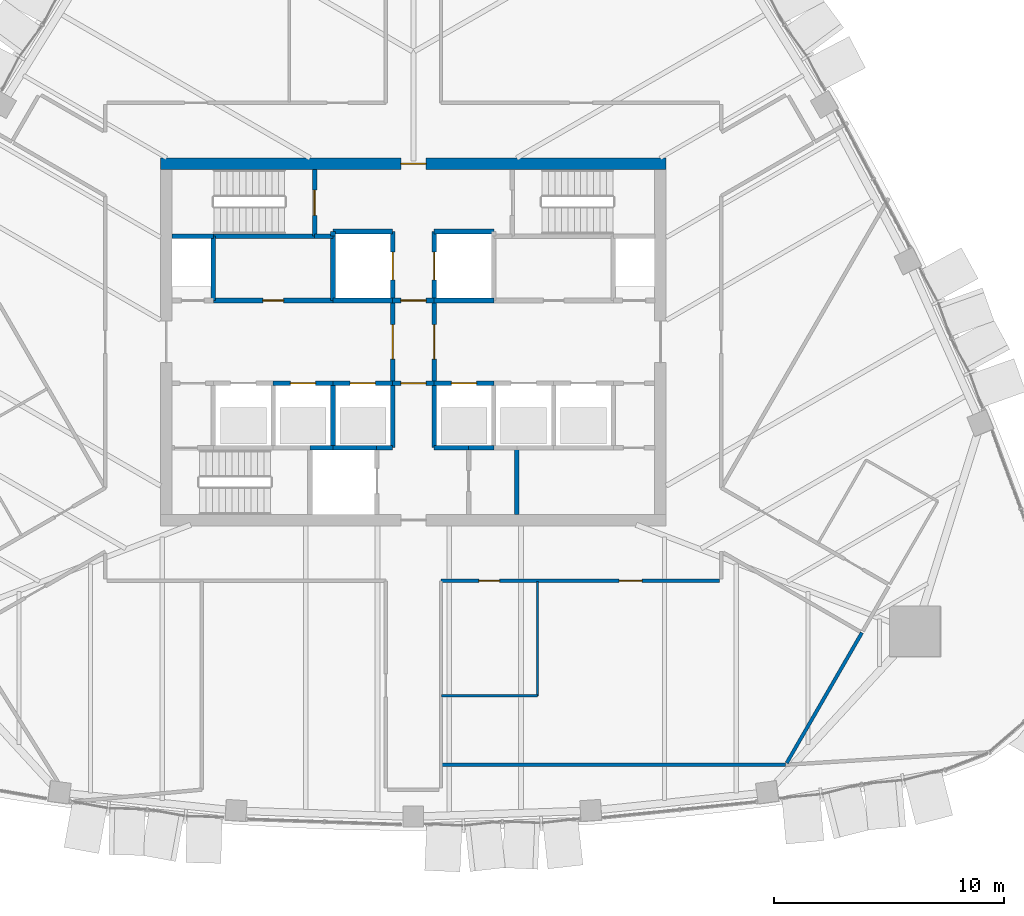
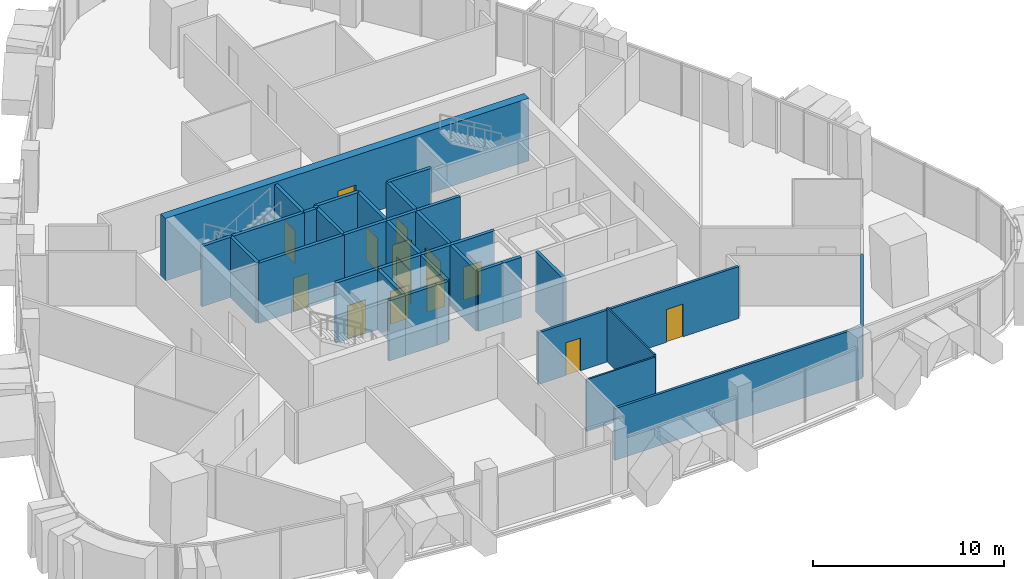
# One storey, part 12 of 18: 36 walls, 14 doors, 14 openings.
"""IFC4 building model written with IfcOpenShell, lengths in metres."""

from ifc_helpers import new_model, si_unit, direction, frame, frame_2d, origin, place, context, subcontext, project, spatial, rectangle, extrude, material, layer, layer_set, type_object, element, fill, save


model = new_model("IFC4")

# Units and contexts
model_context = context("Model", 3, precision=1e-05, world=origin(), true_north=direction((0.0, 1.0)))
body_context = subcontext(model_context, "Body", "Model", "MODEL_VIEW")
ifc_project = project(units=[si_unit("LENGTHUNIT", "METRE"), si_unit("AREAUNIT", "SQUARE_METRE"), si_unit("VOLUMEUNIT", "CUBIC_METRE"), si_unit("PLANEANGLEUNIT", "RADIAN"), si_unit("MASSUNIT", "GRAM", prefix="KILO")], contexts=[model_context])

# Site, building, storey
site_placement = place(None, origin())
site = spatial("IfcSite", under=ifc_project, at=site_placement, CompositionType="ELEMENT")
building_placement = place(site_placement, origin())
building = spatial("IfcBuilding", under=site, at=building_placement, Name="Sierra Prisma Convention Tower", CompositionType="ELEMENT")
storey_placement = place(building_placement, frame((0.0, 0.0, 247.0)))
storey = spatial("IfcBuildingStorey", under=building, at=storey_placement, Name="L55", CompositionType="ELEMENT", Elevation=247.0)

# Walls
ifc_material_1 = material(Name="Gypsum board partition", Category="gypsum")
ifc_layer_1 = layer(ifc_material_1, 0.10009765625)
ifc_layer_set_1 = layer_set([ifc_layer_1], Name="Bathroom partition 100")
wall_type_1 = type_object("IfcWallType", Name="Bathroom partition 100", PredefinedType="PARTITIONING", material=ifc_layer_set_1)
wall_1_placement = place(storey_placement, frame((5.39990234375, -10.429931640625, 0.0), z_axis=(0.0, 0.0, 1.0), x_axis=(0.0, -1.0, 0.0)))
element("IfcWall", 1, at=wall_1_placement, inside=storey, type_object=wall_type_1, Name="Partition L55 bath 5", PredefinedType="PARTITIONING", context=body_context, shape_type="SweptSolid", body=[
    extrude(rectangle(XDim=4.969970703125, YDim=0.10009765625, at=frame_2d((2.48486328125, 0.0))), origin(), (0.0, 0.0, 1.0), 3.449951171875),
])
wall_2_placement = place(storey_placement, frame((5.39990234375, -15.39990234375, 0.0), z_axis=(0.0, 0.0, 1.0), x_axis=(-1.0, 0.0, 0.0)))
element("IfcWall", 2, at=wall_2_placement, inside=storey, type_object=wall_type_1, Name="Partition L55 bath 6", PredefinedType="PARTITIONING", context=body_context, shape_type="SweptSolid", body=[
    extrude(rectangle(XDim=4.169921875, YDim=0.10009765625, at=frame_2d((2.0849609375, 0.0))), origin(), (0.0, 0.0, 1.0), 3.31689453125),
])
ifc_material_2 = material(Name="Concrete C30/37", Category="concrete")
ifc_layer_2 = layer(ifc_material_2, 0.199951171875)
ifc_layer_set_2 = layer_set([ifc_layer_2], Name="Core wall RC 200 C30/37")
wall_type_2 = type_object("IfcWallType", Name="Core wall RC 200 C30/37", PredefinedType="SOLIDWALL", material=ifc_layer_set_2)
wall_3_placement = place(storey_placement, frame((-8.699951171875, 4.60009765625, 0.0), z_axis=(0.0, 0.0, 1.0), x_axis=(-1.0, 0.0, 0.0)))
element("IfcWall", 3, at=wall_3_placement, inside=storey, type_object=wall_type_2, Name="Core wall L55 4", PredefinedType="SOLIDWALL", context=body_context, shape_type="SweptSolid", body=[
    extrude(rectangle(XDim=1.800048828125, YDim=0.199951171875, at=frame_2d((0.89990234375, 0.0))), origin(), (0.0, 0.0, 1.0), 3.85009765625),
])

# Wall, opening, door
wall_4_placement = place(storey_placement, frame((-8.699951171875, 1.800048828125, 0.0), z_axis=(0.0, 0.0, 1.0), x_axis=(1.0, 0.0, 0.0)))
wall_4 = element("IfcWall", 4, at=wall_4_placement, inside=storey, type_object=wall_type_2, Name="Core wall L55 8", PredefinedType="SOLIDWALL", context=body_context, shape_type="SweptSolid", body=[
    extrude(rectangle(XDim=5.199951171875, YDim=0.199951171875, at=frame_2d((2.60009765625, 0.0))), origin(), (0.0, 0.0, 1.0), 3.85009765625),
])
opening_1_placement = place(wall_4_placement, frame((2.14990234375, 0.0, 0.0)))
opening_1 = element("IfcOpeningElement", 5, at=opening_1_placement, cuts=wall_4, Name="Opening L55-D021", PredefinedType="OPENING", context=body_context, shape_type="SweptSolid", body=[
    extrude(rectangle(XDim=0.89990234375, YDim=2.10009765625, at=frame_2d((0.449951171875, 1.050048828125))), frame((0.0, 0.10009765625, 0.0), z_axis=(0.0, -1.0, 0.0), x_axis=(1.0, 0.0, 0.0)), (0.0, 0.0, 1.0), 0.199951171875),
])
ifc_material_3 = material(Name="Steel fire door leaf", Category="steel")
door_type_1 = type_object("IfcDoorType", Name="Door 900x2100 FD30S", OperationType="SINGLE_SWING_LEFT", PredefinedType="DOOR", material=ifc_material_3)
door_1_placement = place(opening_1_placement, origin())
door_1 = element("IfcDoor", 6, at=door_1_placement, inside=storey, type_object=door_type_1, Name="Door L55 36", OperationType="SINGLE_SWING_LEFT", OverallHeight=2.10009765625, OverallWidth=0.89990234375, PredefinedType="DOOR", context=body_context, shape_type="SweptSolid", body=[
    extrude(rectangle(XDim=0.89990234375, YDim=2.10009765625, at=frame_2d((0.449951171875, 1.050048828125))), frame((0.0, 0.02490234375, 0.0), z_axis=(0.0, -1.0, 0.0), x_axis=(1.0, 0.0, 0.0)), (0.0, 0.0, 1.0), 0.050048828125),
])
fill(opening_1, door_1)

# Walls
wall_5_placement = place(storey_placement, frame((-8.699951171875, 4.60009765625, 0.0), z_axis=(0.0, 0.0, 1.0), x_axis=(0.0, -1.0, 0.0)))
element("IfcWall", 7, at=wall_5_placement, inside=storey, type_object=wall_type_2, Name="Core wall L55 9", PredefinedType="SOLIDWALL", context=body_context, shape_type="SweptSolid", body=[
    extrude(rectangle(XDim=2.800048828125, YDim=0.199951171875, at=frame_2d((1.39990234375, 0.0))), origin(), (0.0, 0.0, 1.0), 3.85009765625),
])
wall_6_placement = place(storey_placement, frame((-4.300048828125, 4.60009765625, 0.0), z_axis=(0.0, 0.0, 1.0), x_axis=(-1.0, 0.0, 0.0)))
element("IfcWall", 8, at=wall_6_placement, inside=storey, type_object=wall_type_2, Name="Core wall L55 10", PredefinedType="SOLIDWALL", context=body_context, shape_type="SweptSolid", body=[
    extrude(rectangle(XDim=4.39990234375, YDim=0.199951171875, at=frame_2d((2.199951171875, 0.0))), origin(), (0.0, 0.0, 1.0), 3.85009765625),
])

# Wall, opening, door
wall_7_placement = place(storey_placement, frame((-6.10009765625, -1.800048828125, 0.0), z_axis=(0.0, 0.0, 1.0), x_axis=(1.0, 0.0, 0.0)))
wall_7 = element("IfcWall", 9, at=wall_7_placement, inside=storey, type_object=wall_type_2, Name="Core wall L55 13", PredefinedType="SOLIDWALL", context=body_context, shape_type="SweptSolid", body=[
    extrude(rectangle(XDim=2.60009765625, YDim=0.199951171875, at=frame_2d((1.300048828125, 0.0))), origin(), (0.0, 0.0, 1.0), 3.85009765625),
])
opening_2_placement = place(wall_7_placement, frame((0.75, 0.0, 0.0)))
opening_2 = element("IfcOpeningElement", 10, at=opening_2_placement, cuts=wall_7, Name="Opening L55-D002", PredefinedType="OPENING", context=body_context, shape_type="SweptSolid", body=[
    extrude(rectangle(XDim=1.10009765625, YDim=2.10009765625, at=frame_2d((0.550048828125, 1.050048828125))), frame((0.0, 0.10009765625, 0.0), z_axis=(0.0, -1.0, 0.0), x_axis=(1.0, 0.0, 0.0)), (0.0, 0.0, 1.0), 0.199951171875),
])
ifc_material_4 = material(Name="Steel fire door leaf", Category="steel")
door_type_2 = type_object("IfcDoorType", Name="Door 1100x2100 EI 90 sliding lift landing", OperationType="SLIDING_TO_LEFT", PredefinedType="DOOR", material=ifc_material_4)
door_2_placement = place(opening_2_placement, origin())
door_2 = element("IfcDoor", 11, at=door_2_placement, inside=storey, type_object=door_type_2, Name="Door L55 17", OperationType="SLIDING_TO_LEFT", OverallHeight=2.10009765625, OverallWidth=1.10009765625, PredefinedType="DOOR", context=body_context, shape_type="SweptSolid", body=[
    extrude(rectangle(XDim=1.10009765625, YDim=2.10009765625, at=frame_2d((0.550048828125, 1.050048828125))), frame((0.0, 0.02490234375, 0.0), z_axis=(0.0, -1.0, 0.0), x_axis=(1.0, 0.0, 0.0)), (0.0, 0.0, 1.0), 0.050048828125),
])
fill(opening_2, door_2)

# Walls
wall_8_placement = place(storey_placement, frame((-4.5, -4.60009765625, 0.0), z_axis=(0.0, 0.0, 1.0), x_axis=(1.0, 0.0, 0.0)))
element("IfcWall", 12, at=wall_8_placement, inside=storey, type_object=wall_type_2, Name="Core wall L55 15", PredefinedType="SOLIDWALL", context=body_context, shape_type="SweptSolid", body=[
    extrude(rectangle(XDim=1.0, YDim=0.199951171875, at=frame_2d((0.5, 0.0))), origin(), (0.0, 0.0, 1.0), 3.85009765625),
])
wall_9_placement = place(storey_placement, frame((-3.5, 4.60009765625, 0.0), z_axis=(0.0, 0.0, 1.0), x_axis=(-1.0, 0.0, 0.0)))
element("IfcWall", 13, at=wall_9_placement, inside=storey, type_object=wall_type_2, Name="Core wall L55 16", PredefinedType="SOLIDWALL", context=body_context, shape_type="SweptSolid", body=[
    extrude(rectangle(XDim=0.800048828125, YDim=0.199951171875, at=frame_2d((0.39990234375, 0.0))), origin(), (0.0, 0.0, 1.0), 3.85009765625),
])

# Wall, opening, door
wall_10_placement = place(storey_placement, frame((-4.300048828125, 4.60009765625, 0.0), z_axis=(0.0, 0.0, 1.0), x_axis=(0.0, 1.0, 0.0)))
wall_10 = element("IfcWall", 14, at=wall_10_placement, inside=storey, type_object=wall_type_2, Name="Core wall L55 17", PredefinedType="SOLIDWALL", context=body_context, shape_type="SweptSolid", body=[
    extrude(rectangle(XDim=2.89990234375, YDim=0.199951171875, at=frame_2d((1.449951171875, 0.0))), origin(), (0.0, 0.0, 1.0), 3.85009765625),
])
opening_3_placement = place(wall_10_placement, frame((0.89990234375, 0.0, 0.0)))
opening_3 = element("IfcOpeningElement", 15, at=opening_3_placement, cuts=wall_10, Name="Opening L55-D018", PredefinedType="OPENING", context=body_context, shape_type="SweptSolid", body=[
    extrude(rectangle(XDim=1.10009765625, YDim=2.10009765625, at=frame_2d((0.550048828125, 1.050048828125))), frame((0.0, 0.10009765625, 0.0), z_axis=(0.0, -1.0, 0.0), x_axis=(1.0, 0.0, 0.0)), (0.0, 0.0, 1.0), 0.199951171875),
])
ifc_material_5 = material(Name="Steel fire door leaf", Category="steel")
door_type_3 = type_object("IfcDoorType", Name="Door 1100x2100 FD90S", OperationType="SINGLE_SWING_LEFT", PredefinedType="DOOR", material=ifc_material_5)
door_3_placement = place(opening_3_placement, origin())
door_3 = element("IfcDoor", 16, at=door_3_placement, inside=storey, type_object=door_type_3, Name="Door L55 33", OperationType="SINGLE_SWING_RIGHT", OverallHeight=2.10009765625, OverallWidth=1.10009765625, PredefinedType="DOOR", context=body_context, shape_type="SweptSolid", body=[
    extrude(rectangle(XDim=1.10009765625, YDim=2.10009765625, at=frame_2d((0.550048828125, 1.050048828125))), frame((0.0, 0.02490234375, 0.0), z_axis=(0.0, -1.0, 0.0), x_axis=(1.0, 0.0, 0.0)), (0.0, 0.0, 1.0), 0.050048828125),
])
fill(opening_3, door_3)

# Walls
wall_11_placement = place(storey_placement, frame((-3.5, -4.60009765625, 0.0), z_axis=(0.0, 0.0, 1.0), x_axis=(1.0, 0.0, 0.0)))
element("IfcWall", 17, at=wall_11_placement, inside=storey, type_object=wall_type_2, Name="Core wall L55 18", PredefinedType="SOLIDWALL", context=body_context, shape_type="SweptSolid", body=[
    extrude(rectangle(XDim=1.89990234375, YDim=0.199951171875, at=frame_2d((0.949951171875, 0.0))), origin(), (0.0, 0.0, 1.0), 3.85009765625),
])
wall_12_placement = place(storey_placement, frame((-3.5, -4.60009765625, 0.0), z_axis=(0.0, 0.0, 1.0), x_axis=(0.0, 1.0, 0.0)))
element("IfcWall", 18, at=wall_12_placement, inside=storey, type_object=wall_type_2, Name="Core wall L55 19", PredefinedType="SOLIDWALL", context=body_context, shape_type="SweptSolid", body=[
    extrude(rectangle(XDim=2.800048828125, YDim=0.199951171875, at=frame_2d((1.39990234375, 0.0))), origin(), (0.0, 0.0, 1.0), 3.85009765625),
])

# Wall, opening, door
wall_13_placement = place(storey_placement, frame((-3.5, -1.800048828125, 0.0), z_axis=(0.0, 0.0, 1.0), x_axis=(1.0, 0.0, 0.0)))
wall_13 = element("IfcWall", 19, at=wall_13_placement, inside=storey, type_object=wall_type_2, Name="Core wall L55 20", PredefinedType="SOLIDWALL", context=body_context, shape_type="SweptSolid", body=[
    extrude(rectangle(XDim=2.60009765625, YDim=0.199951171875, at=frame_2d((1.300048828125, 0.0))), origin(), (0.0, 0.0, 1.0), 3.85009765625),
])
opening_4_placement = place(wall_13_placement, frame((0.75, 0.0, 0.0)))
opening_4 = element("IfcOpeningElement", 20, at=opening_4_placement, cuts=wall_13, Name="Opening L55-D003", PredefinedType="OPENING", context=body_context, shape_type="SweptSolid", body=[
    extrude(rectangle(XDim=1.10009765625, YDim=2.10009765625, at=frame_2d((0.550048828125, 1.050048828125))), frame((0.0, 0.10009765625, 0.0), z_axis=(0.0, -1.0, 0.0), x_axis=(1.0, 0.0, 0.0)), (0.0, 0.0, 1.0), 0.199951171875),
])
door_4_placement = place(opening_4_placement, origin())
door_4 = element("IfcDoor", 21, at=door_4_placement, inside=storey, type_object=door_type_2, Name="Door L55 18", OperationType="SLIDING_TO_LEFT", OverallHeight=2.10009765625, OverallWidth=1.10009765625, PredefinedType="DOOR", context=body_context, shape_type="SweptSolid", body=[
    extrude(rectangle(XDim=1.10009765625, YDim=2.10009765625, at=frame_2d((0.550048828125, 1.050048828125))), frame((0.0, 0.02490234375, 0.0), z_axis=(0.0, -1.0, 0.0), x_axis=(1.0, 0.0, 0.0)), (0.0, 0.0, 1.0), 0.050048828125),
])
fill(opening_4, door_4)

# Walls
wall_14_placement = place(storey_placement, frame((-0.89990234375, 1.800048828125, 0.0), z_axis=(0.0, 0.0, 1.0), x_axis=(-1.0, 0.0, 0.0)))
element("IfcWall", 22, at=wall_14_placement, inside=storey, type_object=wall_type_2, Name="Core wall L55 21", PredefinedType="SOLIDWALL", context=body_context, shape_type="SweptSolid", body=[
    extrude(rectangle(XDim=2.60009765625, YDim=0.199951171875, at=frame_2d((1.300048828125, 0.0))), origin(), (0.0, 0.0, 1.0), 3.85009765625),
])
wall_15_placement = place(storey_placement, frame((-3.5, 1.800048828125, 0.0), z_axis=(0.0, 0.0, 1.0), x_axis=(0.0, 1.0, 0.0)))
element("IfcWall", 23, at=wall_15_placement, inside=storey, type_object=wall_type_2, Name="Core wall L55 22", PredefinedType="SOLIDWALL", context=body_context, shape_type="SweptSolid", body=[
    extrude(rectangle(XDim=2.800048828125, YDim=0.199951171875, at=frame_2d((1.39990234375, 0.0))), origin(), (0.0, 0.0, 1.0), 3.85009765625),
])

# Wall, opening, door
wall_16_placement = place(storey_placement, frame((-0.89990234375, 1.800048828125, 0.0), z_axis=(0.0, 0.0, 1.0), x_axis=(0.0, 1.0, 0.0)))
wall_16 = element("IfcWall", 24, at=wall_16_placement, inside=storey, type_object=wall_type_2, Name="Core wall L55 23", PredefinedType="SOLIDWALL", context=body_context, shape_type="SweptSolid", body=[
    extrude(rectangle(XDim=3.0, YDim=0.199951171875, at=frame_2d((1.5, 0.0))), origin(), (0.0, 0.0, 1.0), 3.85009765625),
])
opening_5_placement = place(wall_16_placement, frame((0.89990234375, 0.0, 0.0)))
opening_5 = element("IfcOpeningElement", 25, at=opening_5_placement, cuts=wall_16, Name="Opening L55-D007", PredefinedType="OPENING", context=body_context, shape_type="SweptSolid", body=[
    extrude(rectangle(XDim=1.199951171875, YDim=2.10009765625, at=frame_2d((0.60009765625, 1.050048828125))), frame((0.0, 0.10009765625, 0.0), z_axis=(0.0, -1.0, 0.0), x_axis=(1.0, 0.0, 0.0)), (0.0, 0.0, 1.0), 0.199951171875),
])
ifc_material_6 = material(Name="Steel fire door leaf", Category="steel")
door_type_4 = type_object("IfcDoorType", Name="Door 1200x2100 EI 90 sliding lift landing", OperationType="SLIDING_TO_LEFT", PredefinedType="DOOR", material=ifc_material_6)
door_5_placement = place(opening_5_placement, origin())
door_5 = element("IfcDoor", 26, at=door_5_placement, inside=storey, type_object=door_type_4, Name="Door L55 22", OperationType="SLIDING_TO_RIGHT", OverallHeight=2.10009765625, OverallWidth=1.199951171875, PredefinedType="DOOR", context=body_context, shape_type="SweptSolid", body=[
    extrude(rectangle(XDim=1.199951171875, YDim=2.10009765625, at=frame_2d((0.60009765625, 1.050048828125))), frame((0.0, 0.02490234375, 0.0), z_axis=(0.0, -1.0, 0.0), x_axis=(1.0, 0.0, 0.0)), (0.0, 0.0, 1.0), 0.050048828125),
])
fill(opening_5, door_5)

# Walls
wall_17_placement = place(storey_placement, frame((-0.89990234375, 4.800048828125, 0.0), z_axis=(0.0, 0.0, 1.0), x_axis=(-1.0, 0.0, 0.0)))
element("IfcWall", 27, at=wall_17_placement, inside=storey, type_object=wall_type_2, Name="Core wall L55 24", PredefinedType="SOLIDWALL", context=body_context, shape_type="SweptSolid", body=[
    extrude(rectangle(XDim=2.60009765625, YDim=0.199951171875, at=frame_2d((1.300048828125, 0.0))), origin(), (0.0, 0.0, 1.0), 3.85009765625),
])
wall_18_placement = place(storey_placement, frame((-3.5, 4.800048828125, 0.0), z_axis=(0.0, 0.0, 1.0), x_axis=(0.0, -1.0, 0.0)))
element("IfcWall", 28, at=wall_18_placement, inside=storey, type_object=wall_type_2, Name="Core wall L55 25", PredefinedType="SOLIDWALL", context=body_context, shape_type="SweptSolid", body=[
    extrude(rectangle(XDim=0.199951171875, YDim=0.199951171875, at=frame_2d((0.10009765625, 0.0))), origin(), (0.0, 0.0, 1.0), 3.85009765625),
])
wall_19_placement = place(storey_placement, frame((-1.60009765625, -4.60009765625, 0.0), z_axis=(0.0, 0.0, 1.0), x_axis=(1.0, 0.0, 0.0)))
element("IfcWall", 29, at=wall_19_placement, inside=storey, type_object=wall_type_2, Name="Core wall L55 27", PredefinedType="SOLIDWALL", context=body_context, shape_type="SweptSolid", body=[
    extrude(rectangle(XDim=0.7001953125, YDim=0.199951171875, at=frame_2d((0.35009765625, 0.0))), origin(), (0.0, 0.0, 1.0), 3.85009765625),
])
wall_20_placement = place(storey_placement, frame((-0.89990234375, -4.60009765625, 0.0), z_axis=(0.0, 0.0, 1.0), x_axis=(0.0, 1.0, 0.0)))
element("IfcWall", 30, at=wall_20_placement, inside=storey, type_object=wall_type_2, Name="Core wall L55 28", PredefinedType="SOLIDWALL", context=body_context, shape_type="SweptSolid", body=[
    extrude(rectangle(XDim=2.800048828125, YDim=0.199951171875, at=frame_2d((1.39990234375, 0.0))), origin(), (0.0, 0.0, 1.0), 3.85009765625),
])

# Wall, opening, door
wall_21_placement = place(storey_placement, frame((-0.89990234375, -1.800048828125, 0.0), z_axis=(0.0, 0.0, 1.0), x_axis=(1.0, 0.0, 0.0)))
wall_21 = element("IfcWall", 31, at=wall_21_placement, inside=storey, type_object=wall_type_2, Name="Core wall L55 29", PredefinedType="SOLIDWALL", context=body_context, shape_type="SweptSolid", body=[
    extrude(rectangle(XDim=1.7998046875, YDim=0.199951171875, at=frame_2d((0.89990234375, 0.0))), origin(), (0.0, 0.0, 1.0), 3.85009765625),
])
opening_6_placement = place(wall_21_placement, frame((0.35009765625, 0.0, 0.0)))
opening_6 = element("IfcOpeningElement", 32, at=opening_6_placement, cuts=wall_21, Name="Opening L55-D014", PredefinedType="OPENING", context=body_context, shape_type="SweptSolid", body=[
    extrude(rectangle(XDim=1.10009765625, YDim=2.10009765625, at=frame_2d((0.550048828125, 1.050048828125))), frame((0.0, 0.10009765625, 0.0), z_axis=(0.0, -1.0, 0.0), x_axis=(1.0, 0.0, 0.0)), (0.0, 0.0, 1.0), 0.199951171875),
])
ifc_material_7 = material(Name="Steel fire door leaf", Category="steel")
door_type_5 = type_object("IfcDoorType", Name="Door 1100x2100 FD30S", OperationType="SINGLE_SWING_LEFT", PredefinedType="DOOR", material=ifc_material_7)
door_6_placement = place(opening_6_placement, origin())
door_6 = element("IfcDoor", 33, at=door_6_placement, inside=storey, type_object=door_type_5, Name="Door L55 29", OperationType="SINGLE_SWING_RIGHT", OverallHeight=2.10009765625, OverallWidth=1.10009765625, PredefinedType="DOOR", context=body_context, shape_type="SweptSolid", body=[
    extrude(rectangle(XDim=1.10009765625, YDim=2.10009765625, at=frame_2d((0.550048828125, 1.050048828125))), frame((0.0, 0.02490234375, 0.0), z_axis=(0.0, -1.0, 0.0), x_axis=(1.0, 0.0, 0.0)), (0.0, 0.0, 1.0), 0.050048828125),
])
fill(opening_6, door_6)

wall_22_placement = place(storey_placement, frame((-0.89990234375, 1.800048828125, 0.0), z_axis=(0.0, 0.0, 1.0), x_axis=(0.0, -1.0, 0.0)))
wall_22 = element("IfcWall", 34, at=wall_22_placement, inside=storey, type_object=wall_type_2, Name="Core wall L55 30", PredefinedType="SOLIDWALL", context=body_context, shape_type="SweptSolid", body=[
    extrude(rectangle(XDim=3.60009765625, YDim=0.199951171875, at=frame_2d((1.800048828125, 0.0))), origin(), (0.0, 0.0, 1.0), 3.85009765625),
])
opening_7_placement = place(wall_22_placement, frame((1.050048828125, 0.0, 0.0)))
opening_7 = element("IfcOpeningElement", 35, at=opening_7_placement, cuts=wall_22, Name="Opening L55-D010", PredefinedType="OPENING", context=body_context, shape_type="SweptSolid", body=[
    extrude(rectangle(XDim=1.5, YDim=2.10009765625, at=frame_2d((0.75, 1.050048828125))), frame((0.0, 0.10009765625, 0.0), z_axis=(0.0, -1.0, 0.0), x_axis=(1.0, 0.0, 0.0)), (0.0, 0.0, 1.0), 0.199951171875),
])
ifc_material_8 = material(Name="Steel fire door leaf", Category="steel")
door_type_6 = type_object("IfcDoorType", Name="Door 1500x2100 FD30S", OperationType="DOUBLE_DOOR_SINGLE_SWING", PredefinedType="DOOR", material=ifc_material_8)
door_7_placement = place(opening_7_placement, origin())
door_7 = element("IfcDoor", 36, at=door_7_placement, inside=storey, type_object=door_type_6, Name="Door L55 25", OperationType="DOUBLE_DOOR_SINGLE_SWING", OverallHeight=2.10009765625, OverallWidth=1.5, PredefinedType="DOOR", context=body_context, shape_type="SweptSolid", body=[
    extrude(rectangle(XDim=1.5, YDim=2.10009765625, at=frame_2d((0.75, 1.050048828125))), frame((0.0, 0.02490234375, 0.0), z_axis=(0.0, -1.0, 0.0), x_axis=(1.0, 0.0, 0.0)), (0.0, 0.0, 1.0), 0.050048828125),
])
fill(opening_7, door_7)

wall_23_placement = place(storey_placement, frame((0.89990234375, 1.800048828125, 0.0), z_axis=(0.0, 0.0, 1.0), x_axis=(-1.0, 0.0, 0.0)))
wall_23 = element("IfcWall", 37, at=wall_23_placement, inside=storey, type_object=wall_type_2, Name="Core wall L55 31", PredefinedType="SOLIDWALL", context=body_context, shape_type="SweptSolid", body=[
    extrude(rectangle(XDim=1.7998046875, YDim=0.199951171875, at=frame_2d((0.89990234375, 0.0))), origin(), (0.0, 0.0, 1.0), 3.85009765625),
])
opening_8_placement = place(wall_23_placement, frame((0.35009765625, 0.0, 0.0)))
opening_8 = element("IfcOpeningElement", 38, at=opening_8_placement, cuts=wall_23, Name="Opening L55-D013", PredefinedType="OPENING", context=body_context, shape_type="SweptSolid", body=[
    extrude(rectangle(XDim=1.10009765625, YDim=2.10009765625, at=frame_2d((0.550048828125, 1.050048828125))), frame((0.0, 0.10009765625, 0.0), z_axis=(0.0, -1.0, 0.0), x_axis=(1.0, 0.0, 0.0)), (0.0, 0.0, 1.0), 0.199951171875),
])
ifc_material_9 = material(Name="Steel fire door leaf", Category="steel")
door_type_7 = type_object("IfcDoorType", Name="Door 1100x2100 FD60S", OperationType="SINGLE_SWING_LEFT", PredefinedType="DOOR", material=ifc_material_9)
door_8_placement = place(opening_8_placement, origin())
door_8 = element("IfcDoor", 39, at=door_8_placement, inside=storey, type_object=door_type_7, Name="Door L55 28", OperationType="SINGLE_SWING_RIGHT", OverallHeight=2.10009765625, OverallWidth=1.10009765625, PredefinedType="DOOR", context=body_context, shape_type="SweptSolid", body=[
    extrude(rectangle(XDim=1.10009765625, YDim=2.10009765625, at=frame_2d((0.550048828125, 1.050048828125))), frame((0.0, 0.02490234375, 0.0), z_axis=(0.0, -1.0, 0.0), x_axis=(1.0, 0.0, 0.0)), (0.0, 0.0, 1.0), 0.050048828125),
])
fill(opening_8, door_8)

wall_24_placement = place(storey_placement, frame((0.89990234375, -1.800048828125, 0.0), z_axis=(0.0, 0.0, 1.0), x_axis=(1.0, 0.0, 0.0)))
wall_24 = element("IfcWall", 40, at=wall_24_placement, inside=storey, type_object=wall_type_2, Name="Core wall L55 32", PredefinedType="SOLIDWALL", context=body_context, shape_type="SweptSolid", body=[
    extrude(rectangle(XDim=2.60009765625, YDim=0.199951171875, at=frame_2d((1.300048828125, 0.0))), origin(), (0.0, 0.0, 1.0), 3.85009765625),
])
opening_9_placement = place(wall_24_placement, frame((0.75, 0.0, 0.0)))
opening_9 = element("IfcOpeningElement", 41, at=opening_9_placement, cuts=wall_24, Name="Opening L55-D004", PredefinedType="OPENING", context=body_context, shape_type="SweptSolid", body=[
    extrude(rectangle(XDim=1.10009765625, YDim=2.10009765625, at=frame_2d((0.550048828125, 1.050048828125))), frame((0.0, 0.10009765625, 0.0), z_axis=(0.0, -1.0, 0.0), x_axis=(1.0, 0.0, 0.0)), (0.0, 0.0, 1.0), 0.199951171875),
])
door_9_placement = place(opening_9_placement, origin())
door_9 = element("IfcDoor", 42, at=door_9_placement, inside=storey, type_object=door_type_2, Name="Door L55 19", OperationType="SLIDING_TO_RIGHT", OverallHeight=2.10009765625, OverallWidth=1.10009765625, PredefinedType="DOOR", context=body_context, shape_type="SweptSolid", body=[
    extrude(rectangle(XDim=1.10009765625, YDim=2.10009765625, at=frame_2d((0.550048828125, 1.050048828125))), frame((0.0, 0.02490234375, 0.0), z_axis=(0.0, -1.0, 0.0), x_axis=(1.0, 0.0, 0.0)), (0.0, 0.0, 1.0), 0.050048828125),
])
fill(opening_9, door_9)

wall_25_placement = place(storey_placement, frame((0.89990234375, -1.800048828125, 0.0), z_axis=(0.0, 0.0, 1.0), x_axis=(0.0, 1.0, 0.0)))
wall_25 = element("IfcWall", 43, at=wall_25_placement, inside=storey, type_object=wall_type_2, Name="Core wall L55 33", PredefinedType="SOLIDWALL", context=body_context, shape_type="SweptSolid", body=[
    extrude(rectangle(XDim=3.60009765625, YDim=0.199951171875, at=frame_2d((1.800048828125, 0.0))), origin(), (0.0, 0.0, 1.0), 3.85009765625),
])
opening_10_placement = place(wall_25_placement, frame((1.050048828125, 0.0, 0.0)))
opening_10 = element("IfcOpeningElement", 44, at=opening_10_placement, cuts=wall_25, Name="Opening L55-D011", PredefinedType="OPENING", context=body_context, shape_type="SweptSolid", body=[
    extrude(rectangle(XDim=1.5, YDim=2.10009765625, at=frame_2d((0.75, 1.050048828125))), frame((0.0, 0.10009765625, 0.0), z_axis=(0.0, -1.0, 0.0), x_axis=(1.0, 0.0, 0.0)), (0.0, 0.0, 1.0), 0.199951171875),
])
door_10_placement = place(opening_10_placement, origin())
door_10 = element("IfcDoor", 45, at=door_10_placement, inside=storey, type_object=door_type_6, Name="Door L55 26", OperationType="DOUBLE_DOOR_SINGLE_SWING", OverallHeight=2.10009765625, OverallWidth=1.5, PredefinedType="DOOR", context=body_context, shape_type="SweptSolid", body=[
    extrude(rectangle(XDim=1.5, YDim=2.10009765625, at=frame_2d((0.75, 1.050048828125))), frame((0.0, 0.02490234375, 0.0), z_axis=(0.0, -1.0, 0.0), x_axis=(1.0, 0.0, 0.0)), (0.0, 0.0, 1.0), 0.050048828125),
])
fill(opening_10, door_10)

# Walls
wall_26_placement = place(storey_placement, frame((0.89990234375, -1.800048828125, 0.0), z_axis=(0.0, 0.0, 1.0), x_axis=(0.0, -1.0, 0.0)))
element("IfcWall", 46, at=wall_26_placement, inside=storey, type_object=wall_type_2, Name="Core wall L55 34", PredefinedType="SOLIDWALL", context=body_context, shape_type="SweptSolid", body=[
    extrude(rectangle(XDim=2.800048828125, YDim=0.199951171875, at=frame_2d((1.39990234375, 0.0))), origin(), (0.0, 0.0, 1.0), 3.85009765625),
])
wall_27_placement = place(storey_placement, frame((0.89990234375, -4.60009765625, 0.0), z_axis=(0.0, 0.0, 1.0), x_axis=(1.0, 0.0, 0.0)))
element("IfcWall", 47, at=wall_27_placement, inside=storey, type_object=wall_type_2, Name="Core wall L55 35", PredefinedType="SOLIDWALL", context=body_context, shape_type="SweptSolid", body=[
    extrude(rectangle(XDim=1.5, YDim=0.199951171875, at=frame_2d((0.75, 0.0))), origin(), (0.0, 0.0, 1.0), 3.85009765625),
])
for number, where, z_axis, x_axis, name in (
    (48, (3.5, 1.800048828125, 0.0), (0.0, 0.0, 1.0), (-1.0, 0.0, 0.0), "Core wall L55 36"),
    (49, (3.5, 4.800048828125, 0.0), (0.0, 0.0, 1.0), (-1.0, 0.0, 0.0), "Core wall L55 38"),
):
    element("IfcWall", number, at=place(storey_placement, frame(where, z_axis=z_axis, x_axis=x_axis)), inside=storey, type_object=wall_type_2, Name=name, PredefinedType="SOLIDWALL", context=body_context, shape_type="SweptSolid", body=[
        extrude(rectangle(XDim=2.60009765625, YDim=0.199951171875, at=frame_2d((1.300048828125, 0.0))), origin(), (0.0, 0.0, 1.0), 3.85009765625),
    ])

# Wall, opening, door
wall_28_placement = place(storey_placement, frame((0.89990234375, 4.800048828125, 0.0), z_axis=(0.0, 0.0, 1.0), x_axis=(0.0, -1.0, 0.0)))
wall_28 = element("IfcWall", 50, at=wall_28_placement, inside=storey, type_object=wall_type_2, Name="Core wall L55 39", PredefinedType="SOLIDWALL", context=body_context, shape_type="SweptSolid", body=[
    extrude(rectangle(XDim=3.0, YDim=0.199951171875, at=frame_2d((1.5, 0.0))), origin(), (0.0, 0.0, 1.0), 3.85009765625),
])
opening_11_placement = place(wall_28_placement, frame((0.89990234375, 0.0, 0.0)))
opening_11 = element("IfcOpeningElement", 51, at=opening_11_placement, cuts=wall_28, Name="Opening L55-D008", PredefinedType="OPENING", context=body_context, shape_type="SweptSolid", body=[
    extrude(rectangle(XDim=1.199951171875, YDim=2.10009765625, at=frame_2d((0.60009765625, 1.050048828125))), frame((0.0, 0.10009765625, 0.0), z_axis=(0.0, -1.0, 0.0), x_axis=(1.0, 0.0, 0.0)), (0.0, 0.0, 1.0), 0.199951171875),
])
door_11_placement = place(opening_11_placement, origin())
door_11 = element("IfcDoor", 52, at=door_11_placement, inside=storey, type_object=door_type_4, Name="Door L55 23", OperationType="SLIDING_TO_LEFT", OverallHeight=2.10009765625, OverallWidth=1.199951171875, PredefinedType="DOOR", context=body_context, shape_type="SweptSolid", body=[
    extrude(rectangle(XDim=1.199951171875, YDim=2.10009765625, at=frame_2d((0.60009765625, 1.050048828125))), frame((0.0, 0.02490234375, 0.0), z_axis=(0.0, -1.0, 0.0), x_axis=(1.0, 0.0, 0.0)), (0.0, 0.0, 1.0), 0.050048828125),
])
fill(opening_11, door_11)

# Walls
wall_29_placement = place(storey_placement, frame((3.5, -4.60009765625, 0.0), z_axis=(0.0, 0.0, 1.0), x_axis=(-1.0, 0.0, 0.0)))
element("IfcWall", 53, at=wall_29_placement, inside=storey, type_object=wall_type_2, Name="Core wall L55 41", PredefinedType="SOLIDWALL", context=body_context, shape_type="SweptSolid", body=[
    extrude(rectangle(XDim=1.10009765625, YDim=0.199951171875, at=frame_2d((0.550048828125, 0.0))), origin(), (0.0, 0.0, 1.0), 3.85009765625),
])
wall_30_placement = place(storey_placement, frame((4.5, -4.60009765625, 0.0), z_axis=(0.0, 0.0, 1.0), x_axis=(0.0, -1.0, 0.0)))
element("IfcWall", 54, at=wall_30_placement, inside=storey, type_object=wall_type_2, Name="Core wall L55 50", PredefinedType="SOLIDWALL", context=body_context, shape_type="SweptSolid", body=[
    extrude(rectangle(XDim=2.89990234375, YDim=0.199951171875, at=frame_2d((1.449951171875, 0.0))), origin(), (0.0, 0.0, 1.0), 3.85009765625),
])

# Wall, opening, door
ifc_material_10 = material(Name="Concrete C50/60", Category="concrete")
ifc_layer_3 = layer(ifc_material_10, 0.5)
ifc_layer_set_3 = layer_set([ifc_layer_3], Name="Core wall RC 500 C50/60")
wall_type_3 = type_object("IfcWallType", Name="Core wall RC 500 C50/60", PredefinedType="SHEAR", material=ifc_layer_set_3)
wall_31_placement = place(storey_placement, frame((-11.0, 7.75, 0.0), z_axis=(0.0, 0.0, 1.0), x_axis=(1.0, 0.0, 0.0)))
wall_31 = element("IfcWall", 55, at=wall_31_placement, inside=storey, type_object=wall_type_3, Name="Core wall N L55", PredefinedType="SHEAR", context=body_context, shape_type="SweptSolid", body=[
    extrude(rectangle(XDim=22.0, YDim=0.5, at=frame_2d((11.0, 0.0))), origin(), (0.0, 0.0, 1.0), 4.0),
])
opening_12_placement = place(wall_31_placement, frame((10.449951171875, 0.0, 0.0)))
opening_12 = element("IfcOpeningElement", 56, at=opening_12_placement, cuts=wall_31, Name="Opening L55-D041", PredefinedType="OPENING", context=body_context, shape_type="SweptSolid", body=[
    extrude(rectangle(XDim=1.10009765625, YDim=2.10009765625, at=frame_2d((0.550048828125, 1.050048828125))), frame((0.0, 0.25, 0.0), z_axis=(0.0, -1.0, 0.0), x_axis=(1.0, 0.0, 0.0)), (0.0, 0.0, 1.0), 0.5),
])
door_12_placement = place(opening_12_placement, origin())
door_12 = element("IfcDoor", 57, at=door_12_placement, inside=storey, type_object=door_type_7, Name="Door L55 42", OperationType="SINGLE_SWING_RIGHT", OverallHeight=2.10009765625, OverallWidth=1.10009765625, PredefinedType="DOOR", context=body_context, shape_type="SweptSolid", body=[
    extrude(rectangle(XDim=1.10009765625, YDim=2.10009765625, at=frame_2d((0.550048828125, 1.050048828125))), frame((0.0, 0.02490234375, 0.0), z_axis=(0.0, -1.0, 0.0), x_axis=(1.0, 0.0, 0.0)), (0.0, 0.0, 1.0), 0.050048828125),
])
fill(opening_12, door_12)

# Wall, openings, doors
ifc_material_11 = material(Name="Gypsum board partition", Category="gypsum")
ifc_layer_4 = layer(ifc_material_11, 0.14990234375)
ifc_layer_set_4 = layer_set([ifc_layer_4], Name="Corridor wall 150 gypsum EI 60")
wall_type_4 = type_object("IfcWallType", Name="Corridor wall 150 gypsum EI 60", PredefinedType="PARTITIONING", material=ifc_layer_set_4)
wall_32_placement = place(storey_placement, frame((1.199951171875, -10.39990234375, 0.0), z_axis=(0.0, 0.0, 1.0), x_axis=(1.0, 0.0, 0.0)))
wall_32 = element("IfcWall", 58, at=wall_32_placement, inside=storey, type_object=wall_type_4, Name="Partition L55 corr 17", PredefinedType="PARTITIONING", context=body_context, shape_type="SweptSolid", body=[
    extrude(rectangle(XDim=12.1201171875, YDim=0.14990234375, at=frame_2d((6.06005859375, 0.0))), origin(), (0.0, 0.0, 1.0), 3.31689453125),
])
opening_13_placement = place(wall_32_placement, frame((1.64990234375, 0.0, 0.0)))
opening_13 = element("IfcOpeningElement", 59, at=opening_13_placement, cuts=wall_32, Name="Opening L55-D036", PredefinedType="OPENING", context=body_context, shape_type="SweptSolid", body=[
    extrude(rectangle(XDim=0.89990234375, YDim=2.10009765625, at=frame_2d((0.449951171875, 1.050048828125))), frame((0.0, 0.074951171875, 0.0), z_axis=(0.0, -1.0, 0.0), x_axis=(1.0, 0.0, 0.0)), (0.0, 0.0, 1.0), 0.14990234375),
])
opening_14_placement = place(wall_32_placement, frame((7.75, 0.0, 0.0)))
opening_14 = element("IfcOpeningElement", 60, at=opening_14_placement, cuts=wall_32, Name="Opening L55-D037", PredefinedType="OPENING", context=body_context, shape_type="SweptSolid", body=[
    extrude(rectangle(XDim=1.0, YDim=2.10009765625, at=frame_2d((0.5, 1.050048828125))), frame((0.0, 0.074951171875, 0.0), z_axis=(0.0, -1.0, 0.0), x_axis=(1.0, 0.0, 0.0)), (0.0, 0.0, 1.0), 0.14990234375),
])
ifc_material_12 = material(Name="Steel fire door leaf", Category="steel")
door_type_8 = type_object("IfcDoorType", Name="Door 1000x2100 FD30S", OperationType="SINGLE_SWING_LEFT", PredefinedType="DOOR", material=ifc_material_12)
door_13_placement = place(opening_14_placement, origin())
door_13 = element("IfcDoor", 61, at=door_13_placement, inside=storey, type_object=door_type_8, Name="Door L55 13", OperationType="SINGLE_SWING_LEFT", OverallHeight=2.10009765625, OverallWidth=1.0, PredefinedType="DOOR", context=body_context, shape_type="SweptSolid", body=[
    extrude(rectangle(XDim=1.0, YDim=2.10009765625, at=frame_2d((0.5, 1.050048828125))), frame((0.0, 0.02490234375, 0.0), z_axis=(0.0, -1.0, 0.0), x_axis=(1.0, 0.0, 0.0)), (0.0, 0.0, 1.0), 0.050048828125),
])
fill(opening_14, door_13)
door_14_placement = place(opening_13_placement, origin())
door_14 = element("IfcDoor", 62, at=door_14_placement, inside=storey, type_object=door_type_1, Name="Door L55 12", OperationType="SINGLE_SWING_LEFT", OverallHeight=2.10009765625, OverallWidth=0.89990234375, PredefinedType="DOOR", context=body_context, shape_type="SweptSolid", body=[
    extrude(rectangle(XDim=0.89990234375, YDim=2.10009765625, at=frame_2d((0.449951171875, 1.050048828125))), frame((0.0, 0.02490234375, 0.0), z_axis=(0.0, -1.0, 0.0), x_axis=(1.0, 0.0, 0.0)), (0.0, 0.0, 1.0), 0.050048828125),
])
fill(opening_13, door_14)

# Walls
ifc_material_13 = material(Name="Gypsum board partition", Category="gypsum")
ifc_layer_5 = layer(ifc_material_13, 0.14990234375)
ifc_layer_set_5 = layer_set([ifc_layer_5], Name="Party wall 150 gypsum")
wall_type_5 = type_object("IfcWallType", Name="Party wall 150 gypsum", PredefinedType="PARTITIONING", material=ifc_layer_set_5)
wall_33_placement = place(storey_placement, frame((1.199951171875, -18.39990234375, 0.0), z_axis=(0.0, 0.0, 1.0), x_axis=(1.0, 0.0, 0.0)))
element("IfcWall", 63, at=wall_33_placement, inside=storey, type_object=wall_type_5, Name="Partition L55 party 8", PredefinedType="PARTITIONING", context=body_context, shape_type="SweptSolid", body=[
    extrude(rectangle(XDim=14.99560546875, YDim=0.14990234375, at=frame_2d((7.497802734375, 0.0))), origin(), (0.0, 0.0, 1.0), 3.31689453125),
])
wall_34_placement = place(storey_placement, frame((19.51416015625, -12.652099609375, 0.0), z_axis=(0.0, 0.0, 1.0), x_axis=(-0.500014101285, -0.866017262251, 0.0)))
element("IfcWall", 64, at=wall_34_placement, inside=storey, type_object=wall_type_5, Name="Partition L55 party 13", PredefinedType="PARTITIONING", context=body_context, shape_type="SweptSolid", body=[
    extrude(rectangle(XDim=6.545654296875, YDim=0.14990234375, at=frame_2d((3.27294921875, 0.0))), origin(), (0.0, 0.0, 1.0), 3.23388671875),
])

save(model, "model.ifc")
